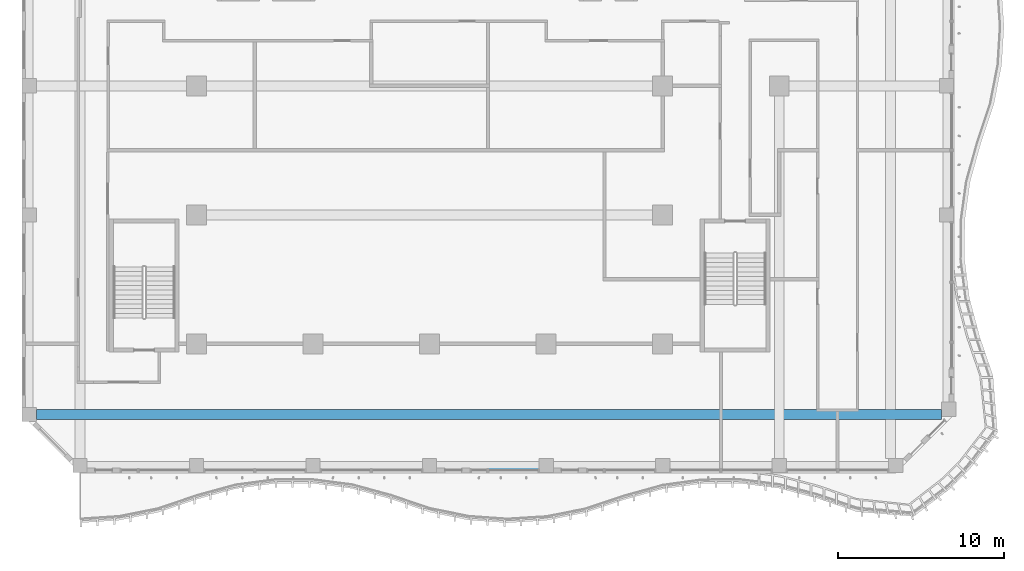
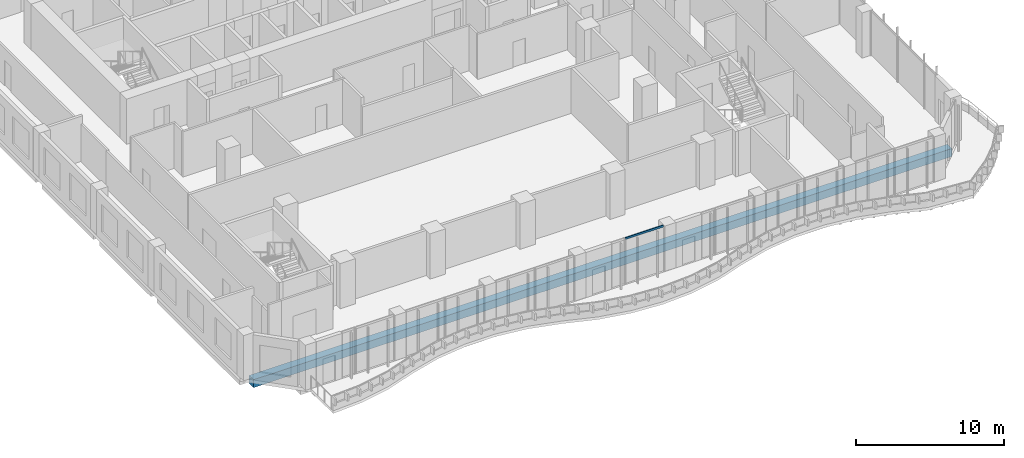
# One storey, part 3 of 27: 1 beam, 1 member, 1 element without a shape of its own.
"""IFC4 building model written with IfcOpenShell, lengths in metres."""

from ifc_helpers import new_model, si_unit, direction, frame, origin, origin_2d, place, context, subcontext, project, spatial, rectangle, extrude, source, transform, mapped, material, material_profile, profile_set, type_object, element, aggregate, save


model = new_model("IFC4")

# Units and contexts
model_context = context("Model", 3, precision=1e-05, world=origin(), true_north=direction((0.0, 1.0)))
body_context = subcontext(model_context, "Body", "Model", "MODEL_VIEW")
ifc_project = project(units=[si_unit("LENGTHUNIT", "METRE"), si_unit("AREAUNIT", "SQUARE_METRE"), si_unit("VOLUMEUNIT", "CUBIC_METRE"), si_unit("PLANEANGLEUNIT", "RADIAN"), si_unit("MASSUNIT", "GRAM", prefix="KILO")], contexts=[model_context])

# Site, building, storey
site_placement = place(None, origin())
site = spatial("IfcSite", under=ifc_project, at=site_placement, CompositionType="ELEMENT")
building_placement = place(site_placement, origin())
building = spatial("IfcBuilding", under=site, at=building_placement, Name="Kilnfold Tower and Market Hall", CompositionType="ELEMENT")
storey_placement = place(building_placement, frame((0.0, 0.0, 112.60009765625)))
storey = spatial("IfcBuildingStorey", under=building, at=storey_placement, Name="L26", CompositionType="ELEMENT", Elevation=112.60009765625)

# Beam
ifc_material_1 = material(Name="Concrete C45", Category="concrete")
ifc_material_profile_1 = material_profile(ifc_material_1, rectangle(XDim=0.60009765625, YDim=0.64990234375, at=origin_2d()), Name="RC 600x650")
ifc_profile_set_1 = profile_set([ifc_material_profile_1], Name="Concrete C45")
beam_type = type_object("IfcBeamType", Name="BEAM 600X650 C45", PredefinedType="BEAM", material=ifc_profile_set_1)
shared_shape_1 = source(origin(), body_context, "Body", "SweptSolid", [
    extrude(rectangle(XDim=0.60009765625, YDim=0.64990234375, at=origin_2d()), origin(), (0.0, 0.0, 1.0), 54.3818359375),
])
beam_placement = place(storey_placement, frame((-22.125, -19.5, -0.60498046875), z_axis=(1.0, 0.0, 0.0), x_axis=(0.0, 1.0, 0.0)))
element("IfcBeam", 1, at=beam_placement, inside=storey, type_object=beam_type, Name="Beam BB650-B3.59", PredefinedType="BEAM", context=body_context, shape_type="MappedRepresentation", body=[
    mapped(shared_shape_1, transform((0.0, 0.0, 0.0))),
])

# Curtain wall, member
ifc_material_2 = material(Name="Aluminium and double glazing", Category="aluminium")
curtain_wall_type = type_object("IfcCurtainWallType", Name="CW OF2 VALLEY GLAZING", PredefinedType="NOTDEFINED", material=ifc_material_2)
curtain_wall_placement = place(storey_placement, origin())
curtain_wall = element("IfcCurtainWall", 2, at=curtain_wall_placement, inside=storey, type_object=curtain_wall_type, Name="Curtain wall CW2 L26 S", PredefinedType="NOTDEFINED")
ifc_material_3 = material(Name="Aluminium", Category="aluminium")
ifc_material_profile_2 = material_profile(ifc_material_3, rectangle(XDim=0.06005859375, YDim=0.159912109375, at=origin_2d()), Name="TRANSOM 60x160")
ifc_profile_set_2 = profile_set([ifc_material_profile_2], Name="Aluminium")
member_type = type_object("IfcMemberType", Name="TRANSOM 60X160", PredefinedType="USERDEFINED", material=ifc_profile_set_2)
shared_shape_2 = source(origin(), body_context, "Body", "SweptSolid", [
    extrude(rectangle(XDim=0.06005859375, YDim=0.159912109375, at=origin_2d()), origin(), (0.0, 0.0, 1.0), 2.954833984375),
])
member_placement = place(storey_placement, frame((5.06005859375, -22.85009765625, 3.68994140625), z_axis=(1.0, 0.0, 0.0), x_axis=(0.0, 1.0, 0.0)))
member = element("IfcMember", 3, at=member_placement, type_object=member_type, Name="CW2 transom 1.2", ObjectType="TRANSOM", PredefinedType="USERDEFINED", context=body_context, shape_type="MappedRepresentation", body=[
    mapped(shared_shape_2, transform((0.0, 0.0, 0.0))),
])
aggregate(curtain_wall, [member])

save(model, "model.ifc")
